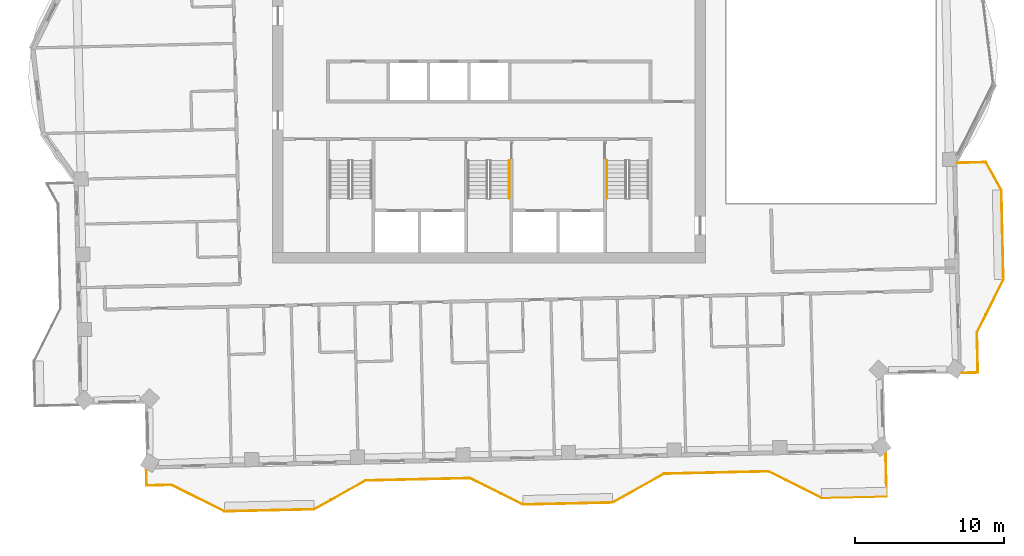
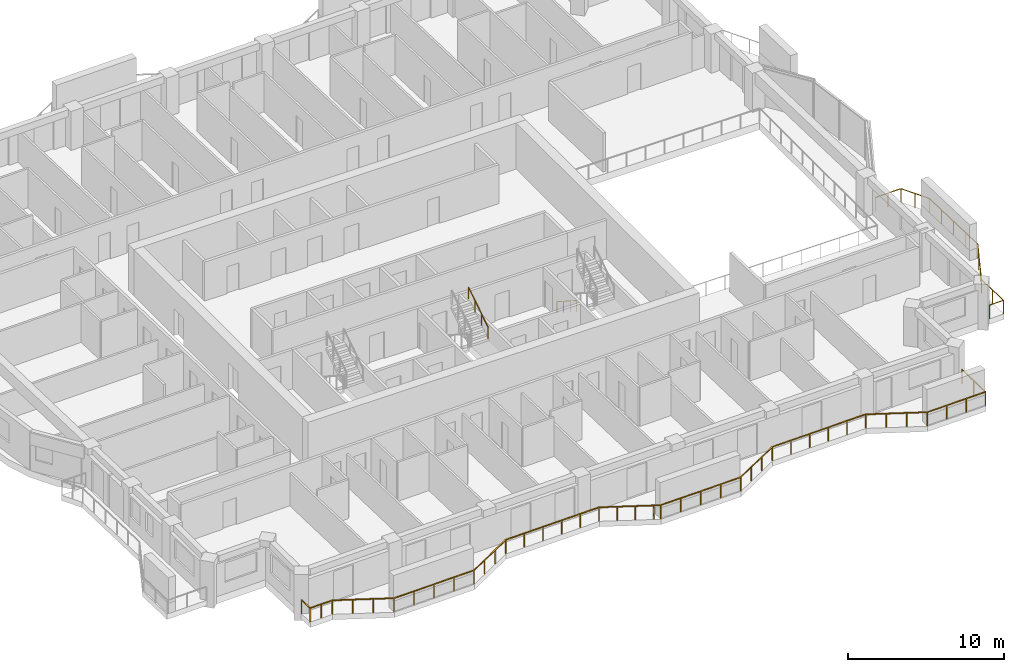
# One storey, part 16 of 18: 4 railings.
"""IFC4 building model written with IfcOpenShell, lengths in metres."""

import ifcopenshell
import ifcopenshell.guid

model = None  # the IFC model being written
_history = None  # IfcOwnerHistory: only IFC2X3 demands one
_inside = {}  # id of a spatial element -> (the spatial element, [elements in it])
_under = {}  # id of a project, library or spatial element -> (it, [spatial elements below it])
_declared = {}  # id of a project -> (the project, [libraries it declares])
_typed = {}  # id of a type object -> (the type object, [elements of that type])
_made_of = {}  # id of a material, layer set ... -> (it, [elements and type objects made of it])


def new_model(schema):
    """Start an empty IFC model of exactly this schema.

    Asked for "IFC4X3", IfcOpenShell would pick the latest addendum, in which some entities
    have other attributes; the version numbers below select the first issue.
    IFC2X3 requires an IfcOwnerHistory on every rooted entity: one is made here for all.
    """
    global model, _history
    if schema == "IFC4X3":
        model = ifcopenshell.file(schema_version=(4, 3, 0, 0))
    else:
        model = ifcopenshell.file(schema=schema)
    _inside.clear()
    _under.clear()
    _declared.clear()
    _typed.clear()
    _made_of.clear()
    _history = None
    if model.schema == "IFC2X3":
        org = make("IfcOrganization", Name="unknown")
        user = make(
            "IfcPersonAndOrganization",
            ThePerson=make("IfcPerson", FamilyName="unknown"),
            TheOrganization=org,
        )
        app = make(
            "IfcApplication",
            ApplicationDeveloper=org,
            Version="unknown",
            ApplicationFullName="unknown",
            ApplicationIdentifier="unknown",
        )
        _history = make(
            "IfcOwnerHistory",
            OwningUser=user,
            OwningApplication=app,
            ChangeAction="ADDED",
            CreationDate=0,
        )
    return model


def make(cls, **values):
    """One entity of the class cls with the attributes given. An attribute that is None is left unset."""
    return model.create_entity(
        cls, **{name: value for name, value in values.items() if value is not None}
    )


def rooted(cls, **values):
    """An entity with a GlobalId (a new one), such as an element, a storey or a relation."""
    return make(cls, GlobalId=ifcopenshell.guid.new(), OwnerHistory=_history, **values)


def si_unit(unit_type, name, prefix=None):
    """IfcSIUnit, for example si_unit("LENGTHUNIT", "METRE", prefix="MILLI")."""
    return make("IfcSIUnit", UnitType=unit_type, Prefix=prefix, Name=name)


def assignment(units):
    """IfcUnitAssignment: the units of a project."""
    return None if units is None else make("IfcUnitAssignment", Units=units)


def point(xyz):
    """IfcCartesianPoint."""
    return None if xyz is None else make("IfcCartesianPoint", Coordinates=xyz)


def direction(xyz):
    """IfcDirection."""
    return None if xyz is None else make("IfcDirection", DirectionRatios=xyz)


def frame(location, z_axis=None, x_axis=None):
    """IfcAxis2Placement3D, a coordinate frame: its origin and axes. An axis left out is left unset."""
    return make(
        "IfcAxis2Placement3D",
        Location=point(location),
        Axis=direction(z_axis),
        RefDirection=direction(x_axis),
    )


def frame_2d(location, x_axis=None):
    """IfcAxis2Placement2D, a coordinate frame in the plane: its origin and x axis."""
    return make(
        "IfcAxis2Placement2D", Location=point(location), RefDirection=direction(x_axis)
    )


def origin():
    """The frame at (0, 0, 0) with its axes left unset."""
    return frame((0.0, 0.0, 0.0))


def origin_2d():
    """The frame at (0, 0) in the plane with its x axis left unset."""
    return frame_2d((0.0, 0.0))


def place(relative_to, where):
    """IfcLocalPlacement: puts the frame where relative to a parent placement (None: the world)."""
    return make(
        "IfcLocalPlacement", PlacementRelTo=relative_to, RelativePlacement=where
    )


def context(
    kind, dimensions, precision=None, world=None, true_north=None, identifier=None
):
    """IfcGeometricRepresentationContext, for example the 3D "Model" context."""
    return make(
        "IfcGeometricRepresentationContext",
        ContextIdentifier=identifier,
        ContextType=kind,
        CoordinateSpaceDimension=dimensions,
        Precision=precision,
        WorldCoordinateSystem=world,
        TrueNorth=true_north,
    )


def subcontext(parent, identifier, kind, view, scale=None):
    """IfcGeometricRepresentationSubContext, for example "Body" below "Model"."""
    return make(
        "IfcGeometricRepresentationSubContext",
        ContextIdentifier=identifier,
        ContextType=kind,
        ParentContext=parent,
        TargetScale=scale,
        TargetView=view,
    )


def project(units=None, contexts=None):
    """IfcProject with its units and contexts."""
    return rooted(
        "IfcProject",
        Name="project",
        RepresentationContexts=contexts,
        UnitsInContext=assignment(units),
    )


def spatial(cls, under=None, at=None, **own):
    """A site, building, storey or space (cls), placed at a placement, below another one or the project."""
    s = rooted(cls, ObjectPlacement=at, **own)
    if under is not None:
        _under.setdefault(under.id(), (under, []))[1].append(s)
    return s


def profile(cls, at=None, kind="AREA", **sizes):
    """A parametric profile (cls). Its sizes go by their IFC names, for example OverallWidth=200.0."""
    return make(cls, ProfileType=kind, Position=at, **sizes)


def rectangle(**sizes):
    """IfcRectangleProfileDef."""
    return profile("IfcRectangleProfileDef", **sizes)


def circle(**sizes):
    """IfcCircleProfileDef."""
    return profile("IfcCircleProfileDef", **sizes)


def extrude(swept, where, along, depth):
    """IfcExtrudedAreaSolid: the profile swept, set in the frame where, extruded along a direction by depth."""
    return make(
        "IfcExtrudedAreaSolid",
        SweptArea=swept,
        Position=where,
        ExtrudedDirection=direction(along),
        Depth=depth,
    )


def shape(context_of_items, identifier, shape_type, items):
    """IfcShapeRepresentation: the items that make up one representation, for example the "Body"."""
    return make(
        "IfcShapeRepresentation",
        ContextOfItems=context_of_items,
        RepresentationIdentifier=identifier,
        RepresentationType=shape_type,
        Items=items,
    )


def material(Name=None, Category=None):
    """IfcMaterial."""
    return make("IfcMaterial", Name=Name, Category=Category)


def made_of(thing, what):
    """Note that an element or type object is made of a material, layer set ...; save() writes the relation."""
    if what is not None:
        _made_of.setdefault(what.id(), (what, []))[1].append(thing)
    return thing


def type_object(cls, material=None, **own):
    """A type object (cls), such as IfcWallType, which elements share."""
    return made_of(rooted(cls, **own), material)


def element(
    cls,
    number,
    at=None,
    inside=None,
    cuts=None,
    type_object=None,
    material=None,
    context=None,
    identifier="Body",
    shape_type=None,
    held_by="IfcProductDefinitionShape",
    body=None,
    shapes=None,
    **own,
):
    """One element of the class cls, such as IfcWall. Its Tag is "e" and its number.

    at: its placement. inside: the storey or other place that contains it. cuts: it is an
    opening in that element (IfcRelVoidsElement). A single representation is given by context,
    identifier, shape_type and body (its items); several are given by shapes. held_by: the class
    of the entity that holds the representations. save() writes the other relations.
    """
    e = rooted(cls, Tag="e%d" % number, ObjectPlacement=at, **own)
    if body is not None:
        shapes = [shape(context, identifier, shape_type, body)]
    if shapes is not None:
        e.Representation = make(held_by, Representations=shapes)
    if inside is not None:
        _inside.setdefault(inside.id(), (inside, []))[1].append(e)
    if cuts is not None:
        rooted(
            "IfcRelVoidsElement", RelatingBuildingElement=cuts, RelatedOpeningElement=e
        )
    if type_object is not None:
        _typed.setdefault(type_object.id(), (type_object, []))[1].append(e)
    return made_of(e, material)


def aggregate(whole, parts):
    """IfcRelAggregates: a whole, such as a stair, and the parts it consists of."""
    return rooted("IfcRelAggregates", RelatingObject=whole, RelatedObjects=parts)


def save(model, path):
    """Write the relations noted so far, then the file.

    IfcRelAggregates (storeys below a building ...), IfcRelContainedInSpatialStructure (elements
    in a storey), IfcRelDefinesByType, IfcRelAssociatesMaterial and IfcRelDeclares: one each for
    every whole, place, type object, material and project.
    """
    for whole, parts in _under.values():
        aggregate(whole, parts)
    for where, things in _inside.values():
        rooted(
            "IfcRelContainedInSpatialStructure",
            RelatedElements=things,
            RelatingStructure=where,
        )
    for kind, things in _typed.values():
        rooted("IfcRelDefinesByType", RelatedObjects=things, RelatingType=kind)
    for what, things in _made_of.values():
        rooted("IfcRelAssociatesMaterial", RelatedObjects=things, RelatingMaterial=what)
    for by, libraries in _declared.values():
        rooted("IfcRelDeclares", RelatingContext=by, RelatedDefinitions=libraries)
    model.write(path)


model = new_model("IFC4")

# Units and contexts
model_context = context("Model", 3, precision=1e-05, world=origin(), true_north=direction((0.0, 1.0)))
body_context = subcontext(model_context, "Body", "Model", "MODEL_VIEW")
ifc_project = project(units=[si_unit("LENGTHUNIT", "METRE"), si_unit("AREAUNIT", "SQUARE_METRE"), si_unit("VOLUMEUNIT", "CUBIC_METRE"), si_unit("PLANEANGLEUNIT", "RADIAN"), si_unit("MASSUNIT", "GRAM", prefix="KILO")], contexts=[model_context])

# Site, building, storey
site_placement = place(None, origin())
site = spatial("IfcSite", under=ifc_project, at=site_placement, CompositionType="ELEMENT")
building_placement = place(site_placement, origin())
building = spatial("IfcBuilding", under=site, at=building_placement, Name="Mangrove Gate Tower", CompositionType="ELEMENT")
storey_placement = place(building_placement, frame((0.0, 0.0, 287.10009765625)))
storey = spatial("IfcBuildingStorey", under=building, at=storey_placement, Name="L73", CompositionType="ELEMENT", Elevation=287.10009765625)

# Railings
ifc_material_1 = material(Name="Stainless steel grade 316 with laminated glass infill", Category="steel")
railing_type_1 = type_object("IfcRailingType", Name="Balcony guard 1100", PredefinedType="GUARDRAIL", material=ifc_material_1)
railing_1_placement = place(storey_placement, frame((31.680908203125, -18.873046875, 0.0)))
element("IfcRailing", 1, at=railing_1_placement, inside=storey, type_object=railing_type_1, Name="GUARD L73 E1", PredefinedType="GUARDRAIL", context=body_context, shape_type="SweptSolid", body=[
    extrude(rectangle(XDim=0.048095703125, YDim=0.048095703125, at=origin_2d()), frame((0.0, 0.0, 1.076171875), z_axis=(0.999745389313, 0.022564497502, 0.0), x_axis=(-0.022564497502, 0.999745389313, 0.0)), (0.0, 0.0, 1.0), 1.060302734375),
    extrude(rectangle(XDim=0.048095703125, YDim=0.048095703125, at=origin_2d()), frame((1.06005859375, 0.02392578125, 1.076171875), z_axis=(-0.022606377605, 0.999744443191, 0.0), x_axis=(-0.999744443191, -0.022606377605, 0.0)), (0.0, 0.0, 1.0), 2.699951171875),
    extrude(rectangle(XDim=0.048095703125, YDim=0.048095703125, at=origin_2d()), frame((0.9990234375, 2.72314453125, 1.076171875), z_axis=(0.447016280881, 0.894525821107, 0.0), x_axis=(-0.894525821107, 0.447016280881, 0.0)), (0.0, 0.0, 1.0), 3.959716796875),
    extrude(rectangle(XDim=0.048095703125, YDim=0.048095703125, at=origin_2d()), frame((2.76904296875, 6.26513671875, 1.076171875), z_axis=(-0.022666865795, 0.999743073592, 0.0), x_axis=(-0.999743073592, -0.022666865795, 0.0)), (0.0, 0.0, 1.0), 5.999267578125),
    extrude(rectangle(XDim=0.048095703125, YDim=0.048095703125, at=origin_2d()), frame((2.633056640625, 12.262939453125, 1.076171875), z_axis=(-0.487098711433, 0.873346921515, 0.0), x_axis=(-0.873346921515, -0.487098711433, 0.0)), (0.0, 0.0, 1.0), 2.12060546875),
    extrude(rectangle(XDim=0.048095703125, YDim=0.048095703125, at=origin_2d()), frame((1.60009765625, 14.114990234375, 1.076171875), z_axis=(-0.999737880615, -0.022894760625, 0.0), x_axis=(0.022894760625, -0.999737880615, 0.0)), (0.0, 0.0, 1.0), 1.91943359375),
    extrude(rectangle(XDim=0.0419921875, YDim=0.0419921875, at=origin_2d()), origin(), (0.0, 0.0, 1.0), 1.052001953125),
    extrude(rectangle(XDim=0.0419921875, YDim=0.0419921875, at=origin_2d()), frame((1.06005859375, 0.02392578125, 0.0)), (0.0, 0.0, 1.0), 1.052001953125),
    extrude(rectangle(XDim=0.0419921875, YDim=0.0419921875, at=origin_2d()), frame((1.029541015625, 1.37353515625, 0.0)), (0.0, 0.0, 1.0), 1.052001953125),
    extrude(rectangle(XDim=0.0419921875, YDim=0.0419921875, at=origin_2d()), frame((0.9990234375, 2.72314453125, 0.0)), (0.0, 0.0, 1.0), 1.052001953125),
    extrude(rectangle(XDim=0.0419921875, YDim=0.0419921875, at=origin_2d()), frame((1.589111328125, 3.90380859375, 0.0)), (0.0, 0.0, 1.0), 1.052001953125),
    extrude(rectangle(XDim=0.0419921875, YDim=0.0419921875, at=origin_2d()), frame((2.178955078125, 5.08447265625, 0.0)), (0.0, 0.0, 1.0), 1.052001953125),
    extrude(rectangle(XDim=0.0419921875, YDim=0.0419921875, at=origin_2d()), frame((2.76904296875, 6.26513671875, 0.0)), (0.0, 0.0, 1.0), 1.052001953125),
    extrude(rectangle(XDim=0.0419921875, YDim=0.0419921875, at=origin_2d()), frame((2.735107421875, 7.7646484375, 0.0)), (0.0, 0.0, 1.0), 1.052001953125),
    extrude(rectangle(XDim=0.0419921875, YDim=0.0419921875, at=origin_2d()), frame((2.701171875, 9.26416015625, 0.0)), (0.0, 0.0, 1.0), 1.052001953125),
    extrude(rectangle(XDim=0.0419921875, YDim=0.0419921875, at=origin_2d()), frame((2.6669921875, 10.763427734375, 0.0)), (0.0, 0.0, 1.0), 1.052001953125),
    extrude(rectangle(XDim=0.0419921875, YDim=0.0419921875, at=origin_2d()), frame((2.633056640625, 12.262939453125, 0.0)), (0.0, 0.0, 1.0), 1.052001953125),
    extrude(rectangle(XDim=0.0419921875, YDim=0.0419921875, at=origin_2d()), frame((2.11669921875, 13.18896484375, 0.0)), (0.0, 0.0, 1.0), 1.052001953125),
    extrude(rectangle(XDim=0.0419921875, YDim=0.0419921875, at=origin_2d()), frame((1.60009765625, 14.114990234375, 0.0)), (0.0, 0.0, 1.0), 1.052001953125),
    extrude(rectangle(XDim=0.0419921875, YDim=0.0419921875, at=origin_2d()), frame((0.640625, 14.093017578125, 0.0)), (0.0, 0.0, 1.0), 1.052001953125),
    extrude(rectangle(XDim=0.0419921875, YDim=0.0419921875, at=origin_2d()), frame((-0.31884765625, 14.071044921875, 0.0)), (0.0, 0.0, 1.0), 1.052001953125),
])
railing_2_placement = place(storey_placement, frame((-22.9619140625, -25.35400390625, 0.0)))
element("IfcRailing", 2, at=railing_2_placement, inside=storey, type_object=railing_type_1, Name="GUARD L73 S1", PredefinedType="GUARDRAIL", context=body_context, shape_type="SweptSolid", body=[
    extrude(rectangle(XDim=0.048095703125, YDim=0.048095703125, at=origin_2d()), frame((0.0, 0.0, 1.076171875), z_axis=(0.022564497502, -0.999745389313, 0.0), x_axis=(0.999745389313, 0.022564497502, 0.0)), (0.0, 0.0, 1.0), 1.060302734375),
    extrude(rectangle(XDim=0.048095703125, YDim=0.048095703125, at=origin_2d()), frame((0.02392578125, -1.06005859375, 1.076171875), z_axis=(0.999739412426, 0.022827773469, 0.0), x_axis=(-0.022827773469, 0.999739412426, 0.0)), (0.0, 0.0, 1.0), 1.66845703125),
    extrude(rectangle(XDim=0.048095703125, YDim=0.048095703125, at=origin_2d()), frame((1.69189453125, -1.02197265625, 1.076171875), z_axis=(0.894476522376, -0.447114919141, 0.0), x_axis=(0.447114919141, 0.894476522376, 0.0)), (0.0, 0.0, 1.0), 3.958740234375),
    extrude(rectangle(XDim=0.048095703125, YDim=0.048095703125, at=origin_2d()), frame((5.23291015625, -2.7919921875, 1.076171875), z_axis=(0.999743094499, 0.022665943652, 0.0), x_axis=(-0.022665943652, 0.999743094499, 0.0)), (0.0, 0.0, 1.0), 5.99951171875),
    extrude(rectangle(XDim=0.048095703125, YDim=0.048095703125, at=origin_2d()), frame((11.23095703125, -2.656005859375, 1.076171875), z_axis=(0.873315448515, 0.487155136876, 0.0), x_axis=(-0.487155136876, 0.873315448515, 0.0)), (0.0, 0.0, 1.0), 3.959716796875),
    extrude(rectangle(XDim=0.048095703125, YDim=0.048095703125, at=origin_2d()), frame((14.68896484375, -0.72705078125, 1.076171875), z_axis=(0.999742195543, 0.022705559911, 0.0), x_axis=(-0.022705559911, 0.999742195543, 0.0)), (0.0, 0.0, 1.0), 6.999755859375),
    extrude(rectangle(XDim=0.048095703125, YDim=0.048095703125, at=origin_2d()), frame((21.68701171875, -0.568115234375, 1.076171875), z_axis=(0.894441117248, -0.44718574192, 0.0), x_axis=(0.44718574192, 0.894441117248, 0.0)), (0.0, 0.0, 1.0), 3.506103515625),
    extrude(rectangle(XDim=0.048095703125, YDim=0.048095703125, at=origin_2d()), frame((24.822998046875, -2.135986328125, 1.076171875), z_axis=(0.894966001385, -0.446134347888, 0.0), x_axis=(0.446134347888, 0.894966001385, 0.0)), (0.0, 0.0, 1.0), 0.45263671875),
    extrude(rectangle(XDim=0.048095703125, YDim=0.048095703125, at=origin_2d()), frame((25.22802734375, -2.337890625, 1.076171875), z_axis=(0.999743073592, 0.022666865795, 0.0), x_axis=(-0.022666865795, 0.999743073592, 0.0)), (0.0, 0.0, 1.0), 5.999267578125),
    extrude(rectangle(XDim=0.048095703125, YDim=0.048095703125, at=origin_2d()), frame((31.225830078125, -2.201904296875, 1.076171875), z_axis=(0.87325689943, 0.48726008209, 0.0), x_axis=(-0.48726008209, 0.87325689943, 0.0)), (0.0, 0.0, 1.0), 3.958740234375),
    extrude(rectangle(XDim=0.048095703125, YDim=0.048095703125, at=origin_2d()), frame((34.682861328125, -0.27294921875, 1.076171875), z_axis=(0.999745423737, 0.022562972274, 0.0), x_axis=(-0.022562972274, 0.999745423737, 0.0)), (0.0, 0.0, 1.0), 7.000732421875),
    extrude(rectangle(XDim=0.048095703125, YDim=0.048095703125, at=origin_2d()), frame((41.681884765625, -0.114990234375, 1.076171875), z_axis=(0.894476522376, -0.447114919141, 0.0), x_axis=(0.447114919141, 0.894476522376, 0.0)), (0.0, 0.0, 1.0), 3.958740234375),
    extrude(rectangle(XDim=0.048095703125, YDim=0.048095703125, at=origin_2d()), frame((45.222900390625, -1.885009765625, 1.076171875), z_axis=(0.999742498783, 0.022692204087, 0.0), x_axis=(-0.022692204087, 0.999742498783, 0.0)), (0.0, 0.0, 1.0), 4.3681640625),
    extrude(rectangle(XDim=0.048095703125, YDim=0.048095703125, at=origin_2d()), frame((49.58984375, -1.785888671875, 1.076171875), z_axis=(-0.022647097142, 0.999743521605, 0.0), x_axis=(-0.999743521605, -0.022647097142, 0.0)), (0.0, 0.0, 1.0), 2.91064453125),
    extrude(rectangle(XDim=0.0419921875, YDim=0.0419921875, at=origin_2d()), origin(), (0.0, 0.0, 1.0), 1.052001953125),
    extrude(rectangle(XDim=0.0419921875, YDim=0.0419921875, at=origin_2d()), frame((0.02392578125, -1.06005859375, 0.0)), (0.0, 0.0, 1.0), 1.052001953125),
    extrude(rectangle(XDim=0.0419921875, YDim=0.0419921875, at=origin_2d()), frame((0.85791015625, -1.041015625, 0.0)), (0.0, 0.0, 1.0), 1.052001953125),
    extrude(rectangle(XDim=0.0419921875, YDim=0.0419921875, at=origin_2d()), frame((1.69189453125, -1.02197265625, 0.0)), (0.0, 0.0, 1.0), 1.052001953125),
    extrude(rectangle(XDim=0.0419921875, YDim=0.0419921875, at=origin_2d()), frame((2.872314453125, -1.612060546875, 0.0)), (0.0, 0.0, 1.0), 1.052001953125),
    extrude(rectangle(XDim=0.0419921875, YDim=0.0419921875, at=origin_2d()), frame((4.052490234375, -2.201904296875, 0.0)), (0.0, 0.0, 1.0), 1.052001953125),
    extrude(rectangle(XDim=0.0419921875, YDim=0.0419921875, at=origin_2d()), frame((5.23291015625, -2.7919921875, 0.0)), (0.0, 0.0, 1.0), 1.052001953125),
    extrude(rectangle(XDim=0.0419921875, YDim=0.0419921875, at=origin_2d()), frame((6.732421875, -2.758056640625, 0.0)), (0.0, 0.0, 1.0), 1.052001953125),
    extrude(rectangle(XDim=0.0419921875, YDim=0.0419921875, at=origin_2d()), frame((8.23193359375, -2.72412109375, 0.0)), (0.0, 0.0, 1.0), 1.052001953125),
    extrude(rectangle(XDim=0.0419921875, YDim=0.0419921875, at=origin_2d()), frame((9.7314453125, -2.68994140625, 0.0)), (0.0, 0.0, 1.0), 1.052001953125),
    extrude(rectangle(XDim=0.0419921875, YDim=0.0419921875, at=origin_2d()), frame((11.23095703125, -2.656005859375, 0.0)), (0.0, 0.0, 1.0), 1.052001953125),
    extrude(rectangle(XDim=0.0419921875, YDim=0.0419921875, at=origin_2d()), frame((12.383544921875, -2.012939453125, 0.0)), (0.0, 0.0, 1.0), 1.052001953125),
    extrude(rectangle(XDim=0.0419921875, YDim=0.0419921875, at=origin_2d()), frame((13.536376953125, -1.3701171875, 0.0)), (0.0, 0.0, 1.0), 1.052001953125),
    extrude(rectangle(XDim=0.0419921875, YDim=0.0419921875, at=origin_2d()), frame((14.68896484375, -0.72705078125, 0.0)), (0.0, 0.0, 1.0), 1.052001953125),
    extrude(rectangle(XDim=0.0419921875, YDim=0.0419921875, at=origin_2d()), frame((16.088623046875, -0.6953125, 0.0)), (0.0, 0.0, 1.0), 1.052001953125),
    extrude(rectangle(XDim=0.0419921875, YDim=0.0419921875, at=origin_2d()), frame((17.48828125, -0.66357421875, 0.0)), (0.0, 0.0, 1.0), 1.052001953125),
    extrude(rectangle(XDim=0.0419921875, YDim=0.0419921875, at=origin_2d()), frame((18.8876953125, -0.631591796875, 0.0)), (0.0, 0.0, 1.0), 1.052001953125),
    extrude(rectangle(XDim=0.0419921875, YDim=0.0419921875, at=origin_2d()), frame((20.287353515625, -0.599853515625, 0.0)), (0.0, 0.0, 1.0), 1.052001953125),
    extrude(rectangle(XDim=0.0419921875, YDim=0.0419921875, at=origin_2d()), frame((21.68701171875, -0.568115234375, 0.0)), (0.0, 0.0, 1.0), 1.052001953125),
    extrude(rectangle(XDim=0.0419921875, YDim=0.0419921875, at=origin_2d()), frame((22.732421875, -1.0908203125, 0.0)), (0.0, 0.0, 1.0), 1.052001953125),
    extrude(rectangle(XDim=0.0419921875, YDim=0.0419921875, at=origin_2d()), frame((23.777587890625, -1.61328125, 0.0)), (0.0, 0.0, 1.0), 1.052001953125),
    extrude(rectangle(XDim=0.0419921875, YDim=0.0419921875, at=origin_2d()), frame((24.822998046875, -2.135986328125, 0.0)), (0.0, 0.0, 1.0), 1.052001953125),
    extrude(rectangle(XDim=0.0419921875, YDim=0.0419921875, at=origin_2d()), frame((25.22802734375, -2.337890625, 0.0)), (0.0, 0.0, 1.0), 1.052001953125),
    extrude(rectangle(XDim=0.0419921875, YDim=0.0419921875, at=origin_2d()), frame((26.7275390625, -2.303955078125, 0.0)), (0.0, 0.0, 1.0), 1.052001953125),
    extrude(rectangle(XDim=0.0419921875, YDim=0.0419921875, at=origin_2d()), frame((28.22705078125, -2.27001953125, 0.0)), (0.0, 0.0, 1.0), 1.052001953125),
    extrude(rectangle(XDim=0.0419921875, YDim=0.0419921875, at=origin_2d()), frame((29.726318359375, -2.23583984375, 0.0)), (0.0, 0.0, 1.0), 1.052001953125),
    extrude(rectangle(XDim=0.0419921875, YDim=0.0419921875, at=origin_2d()), frame((31.225830078125, -2.201904296875, 0.0)), (0.0, 0.0, 1.0), 1.052001953125),
    extrude(rectangle(XDim=0.0419921875, YDim=0.0419921875, at=origin_2d()), frame((32.378173828125, -1.558837890625, 0.0)), (0.0, 0.0, 1.0), 1.052001953125),
    extrude(rectangle(XDim=0.0419921875, YDim=0.0419921875, at=origin_2d()), frame((33.530517578125, -0.916015625, 0.0)), (0.0, 0.0, 1.0), 1.052001953125),
    extrude(rectangle(XDim=0.0419921875, YDim=0.0419921875, at=origin_2d()), frame((34.682861328125, -0.27294921875, 0.0)), (0.0, 0.0, 1.0), 1.052001953125),
    extrude(rectangle(XDim=0.0419921875, YDim=0.0419921875, at=origin_2d()), frame((36.082763671875, -0.241455078125, 0.0)), (0.0, 0.0, 1.0), 1.052001953125),
    extrude(rectangle(XDim=0.0419921875, YDim=0.0419921875, at=origin_2d()), frame((37.482421875, -0.209716796875, 0.0)), (0.0, 0.0, 1.0), 1.052001953125),
    extrude(rectangle(XDim=0.0419921875, YDim=0.0419921875, at=origin_2d()), frame((38.88232421875, -0.17822265625, 0.0)), (0.0, 0.0, 1.0), 1.052001953125),
    extrude(rectangle(XDim=0.0419921875, YDim=0.0419921875, at=origin_2d()), frame((40.281982421875, -0.146484375, 0.0)), (0.0, 0.0, 1.0), 1.052001953125),
    extrude(rectangle(XDim=0.0419921875, YDim=0.0419921875, at=origin_2d()), frame((41.681884765625, -0.114990234375, 0.0)), (0.0, 0.0, 1.0), 1.052001953125),
    extrude(rectangle(XDim=0.0419921875, YDim=0.0419921875, at=origin_2d()), frame((42.8623046875, -0.705078125, 0.0)), (0.0, 0.0, 1.0), 1.052001953125),
    extrude(rectangle(XDim=0.0419921875, YDim=0.0419921875, at=origin_2d()), frame((44.04248046875, -1.294921875, 0.0)), (0.0, 0.0, 1.0), 1.052001953125),
    extrude(rectangle(XDim=0.0419921875, YDim=0.0419921875, at=origin_2d()), frame((45.222900390625, -1.885009765625, 0.0)), (0.0, 0.0, 1.0), 1.052001953125),
    extrude(rectangle(XDim=0.0419921875, YDim=0.0419921875, at=origin_2d()), frame((46.678466796875, -1.85205078125, 0.0)), (0.0, 0.0, 1.0), 1.052001953125),
    extrude(rectangle(XDim=0.0419921875, YDim=0.0419921875, at=origin_2d()), frame((48.13427734375, -1.81884765625, 0.0)), (0.0, 0.0, 1.0), 1.052001953125),
    extrude(rectangle(XDim=0.0419921875, YDim=0.0419921875, at=origin_2d()), frame((49.58984375, -1.785888671875, 0.0)), (0.0, 0.0, 1.0), 1.052001953125),
    extrude(rectangle(XDim=0.0419921875, YDim=0.0419921875, at=origin_2d()), frame((49.556884765625, -0.3310546875, 0.0)), (0.0, 0.0, 1.0), 1.052001953125),
    extrude(rectangle(XDim=0.0419921875, YDim=0.0419921875, at=origin_2d()), frame((49.52392578125, 1.1240234375, 0.0)), (0.0, 0.0, 1.0), 1.052001953125),
])
ifc_material_2 = material(Name="Stainless steel 316", Category="steel")
railing_type_2 = type_object("IfcRailingType", Name="Core stair handrail 900", PredefinedType="HANDRAIL", material=ifc_material_2)
railing_3_placement = place(storey_placement, frame((1.35009765625, -7.169921875, 1.97998046875)))
element("IfcRailing", 3, at=railing_3_placement, inside=storey, type_object=railing_type_2, Name="L73 ST2 stair handrail 2", PredefinedType="HANDRAIL", context=body_context, shape_type="SweptSolid", body=[
    extrude(circle(Radius=0.02392578125, at=origin_2d()), frame((0.0, 0.0, 0.8759765625), z_axis=(0.0, 0.841199657755, 0.540724639528), x_axis=(-1.0, 0.0, 0.0)), (0.0, 0.0, 1.0), 2.995849609375),
    extrude(circle(Radius=0.02099609375, at=origin_2d()), origin(), (0.0, 0.0, 1.0), 0.851806640625),
    extrude(circle(Radius=0.02099609375, at=origin_2d()), frame((0.0, 0.840087890625, 0.5400390625)), (0.0, 0.0, 1.0), 0.851806640625),
    extrude(circle(Radius=0.02099609375, at=origin_2d()), frame((0.0, 1.679931640625, 1.079833984375)), (0.0, 0.0, 1.0), 0.851806640625),
    extrude(circle(Radius=0.02099609375, at=origin_2d()), frame((0.0, 2.52001953125, 1.619873046875)), (0.0, 0.0, 1.0), 0.851806640625),
])
railing_4_placement = place(storey_placement, frame((7.89990234375, -4.64990234375, 0.179931640625)))
element("IfcRailing", 4, at=railing_4_placement, inside=storey, type_object=railing_type_2, Name="L73 ST3 stair handrail 1", PredefinedType="HANDRAIL", context=body_context, shape_type="SweptSolid", body=[
    extrude(circle(Radius=0.02392578125, at=origin_2d()), frame((0.0, 0.0, 0.8759765625), z_axis=(0.0, -0.841199657755, 0.540724639528), x_axis=(1.0, 0.0, 0.0)), (0.0, 0.0, 1.0), 2.995849609375),
    extrude(circle(Radius=0.02099609375, at=origin_2d()), origin(), (0.0, 0.0, 1.0), 0.851806640625),
    extrude(circle(Radius=0.02099609375, at=origin_2d()), frame((0.0, -0.840087890625, 0.5400390625)), (0.0, 0.0, 1.0), 0.851806640625),
    extrude(circle(Radius=0.02099609375, at=origin_2d()), frame((0.0, -1.679931640625, 1.079833984375)), (0.0, 0.0, 1.0), 0.851806640625),
    extrude(circle(Radius=0.02099609375, at=origin_2d()), frame((0.0, -2.52001953125, 1.619873046875)), (0.0, 0.0, 1.0), 0.851806640625),
])

save(model, "model.ifc")
